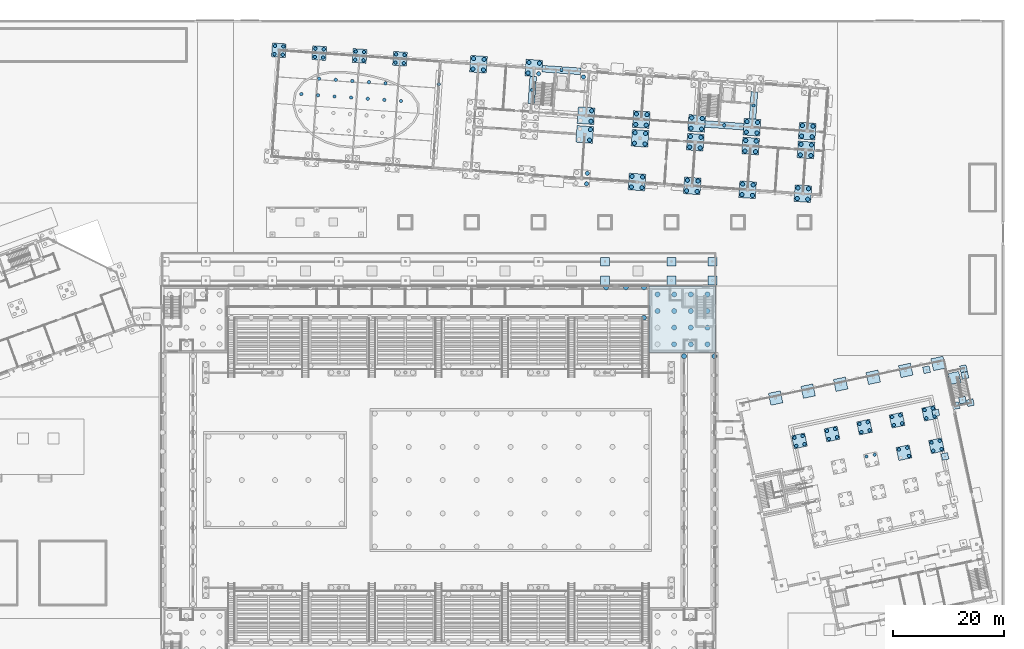
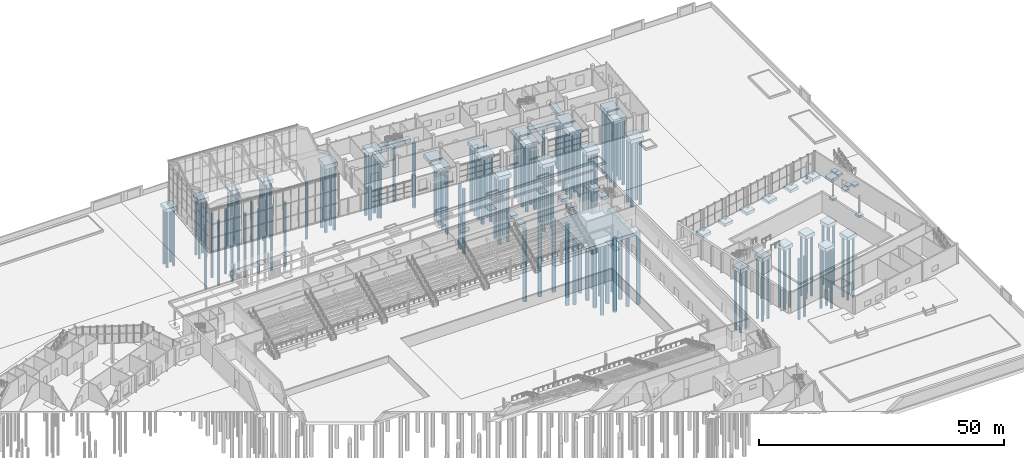
# One storey, part 6 of 157: 145 piles, 53 footings.
"""IFC4 building model written with IfcOpenShell, lengths in metres."""

from ifc_helpers import new_model, si_unit, direction, frame, origin, origin_2d, place, context, subcontext, project, spatial, polyline, rectangle, circle, outline, extrude, material, material_profile, profile_set, type_object, element, save


model = new_model("IFC4")

# Units and contexts
model_context = context("Model", 3, precision=1e-05, world=origin(), true_north=direction((0.0, 1.0)))
body_context = subcontext(model_context, "Body", "Model", "MODEL_VIEW")
ifc_project = project(units=[si_unit("LENGTHUNIT", "METRE"), si_unit("AREAUNIT", "SQUARE_METRE"), si_unit("VOLUMEUNIT", "CUBIC_METRE"), si_unit("PLANEANGLEUNIT", "RADIAN"), si_unit("MASSUNIT", "GRAM", prefix="KILO")], contexts=[model_context])

# Site, building, storey
site_placement = place(None, origin())
site = spatial("IfcSite", under=ifc_project, at=site_placement, CompositionType="ELEMENT")
building_placement = place(site_placement, origin())
building = spatial("IfcBuilding", under=site, at=building_placement, Name="Windward Yard Aquatics Centre", CompositionType="ELEMENT")
storey_placement = place(building_placement, origin())
storey = spatial("IfcBuildingStorey", under=building, at=storey_placement, Name="L00", CompositionType="ELEMENT", Elevation=0.0)

# Footings
ifc_material_1 = material(Name="Concrete C35/45", Category="concrete")
footing_type_1 = type_object("IfcFootingType", Name="A pad footing 1600X1600X700", PredefinedType="PAD_FOOTING", material=ifc_material_1)
for number, where, z_axis, x_axis, name in (
    (1, (132.0, 97.0, -0.7001953125), (0.0, 0.0, 1.0), (1.0, 0.0, 0.0), "A.PF.8.1"),
    (2, (132.0, 100.39990234375, -0.7001953125), (0.0, 0.0, 1.0), (1.0, 0.0, 0.0), "A.PF.8.2"),
    (3, (144.0, 97.0, -0.7001953125), (0.0, 0.0, 1.0), (1.0, 0.0, 0.0), "A.PF.9.1"),
    (4, (144.0, 100.39990234375, -0.7001953125), (0.0, 0.0, 1.0), (1.0, 0.0, 0.0), "A.PF.9.2"),
    (5, (151.39990234375, 97.0, -0.7001953125), (0.0, 0.0, 1.0), (1.0, 0.0, 0.0), "A.PF.10.1"),
    (6, (151.39990234375, 100.39990234375, -0.7001953125), (0.0, 0.0, 1.0), (1.0, 0.0, 0.0), "A.PF.10.2"),
):
    element("IfcFooting", number, at=place(storey_placement, frame(where, z_axis=z_axis, x_axis=x_axis)), inside=storey, type_object=footing_type_1, Name=name, PredefinedType="PAD_FOOTING", context=body_context, shape_type="SweptSolid", body=[
        extrude(rectangle(XDim=1.60009765625, YDim=1.60009765625, at=origin_2d()), origin(), (0.0, 0.0, 1.0), 0.699951171875),
    ])

# Piles
ifc_material_2 = material(Name="Concrete C40/50", Category="concrete")
ifc_material_profile_1 = material_profile(ifc_material_2, circle(Radius=0.300048828125, at=origin_2d()), Name="RC D600")
ifc_profile_set_1 = profile_set([ifc_material_profile_1], Name="Concrete C40/50")
pile_type_1 = type_object("IfcPileType", Name="D bored pile D600", PredefinedType="BORED", material=ifc_profile_set_1)
for number, where, z_axis, x_axis, name in (
    (7, (166.522705078125, 67.1767578125, -6.39990234375), (0.0, 0.0, -1.0), (1.0, 0.0, 0.0), "D.PL.T1.4.1"),
    (8, (167.989990234375, 67.48876953125, -6.39990234375), (0.0, 0.0, -1.0), (1.0, 0.0, 0.0), "D.PL.T1.4.2"),
    (9, (167.67822265625, 68.9560546875, -6.39990234375), (0.0, 0.0, -1.0), (1.0, 0.0, 0.0), "D.PL.T1.4.3"),
    (10, (166.2109375, 68.64404296875, -6.39990234375), (0.0, 0.0, -1.0), (1.0, 0.0, 0.0), "D.PL.T1.4.4"),
    (11, (172.3916015625, 68.42431640625, -6.39990234375), (0.0, 0.0, -1.0), (1.0, 0.0, 0.0), "D.PL.T2.4.1"),
    (12, (173.85888671875, 68.736328125, -6.39990234375), (0.0, 0.0, -1.0), (1.0, 0.0, 0.0), "D.PL.T2.4.2"),
    (13, (173.547119140625, 70.203369140625, -6.39990234375), (0.0, 0.0, -1.0), (1.0, 0.0, 0.0), "D.PL.T2.4.3"),
    (14, (172.079833984375, 69.8916015625, -6.39990234375), (0.0, 0.0, -1.0), (1.0, 0.0, 0.0), "D.PL.T2.4.4"),
    (15, (180.66357421875, 65.58203125, -6.39990234375), (0.0, 0.0, -1.0), (1.0, 0.0, 0.0), "D.PL.T3.3.3"),
    (16, (179.1962890625, 65.270263671875, -6.39990234375), (0.0, 0.0, -1.0), (1.0, 0.0, 0.0), "D.PL.T3.3.4"),
    (17, (178.2607421875, 69.671875, -6.39990234375), (0.0, 0.0, -1.0), (1.0, 0.0, 0.0), "D.PL.T3.4.1"),
    (18, (179.727783203125, 69.983642578125, -6.39990234375), (0.0, 0.0, -1.0), (1.0, 0.0, 0.0), "D.PL.T3.4.2"),
    (19, (179.416015625, 71.450927734375, -6.39990234375), (0.0, 0.0, -1.0), (1.0, 0.0, 0.0), "D.PL.T3.4.3"),
    (20, (177.94873046875, 71.13916015625, -6.39990234375), (0.0, 0.0, -1.0), (1.0, 0.0, 0.0), "D.PL.T3.4.4"),
    (21, (186.84423828125, 65.3623046875, -6.39990234375), (0.0, 0.0, -1.0), (1.0, 0.0, 0.0), "D.PL.T4.3.2"),
    (22, (186.532470703125, 66.82958984375, -6.39990234375), (0.0, 0.0, -1.0), (1.0, 0.0, 0.0), "D.PL.T4.3.3"),
    (23, (185.065185546875, 66.517578125, -6.39990234375), (0.0, 0.0, -1.0), (1.0, 0.0, 0.0), "D.PL.T4.3.4"),
    (24, (184.129638671875, 70.91943359375, -6.39990234375), (0.0, 0.0, -1.0), (1.0, 0.0, 0.0), "D.PL.T4.4.1"),
    (25, (185.5966796875, 71.231201171875, -6.39990234375), (0.0, 0.0, -1.0), (1.0, 0.0, 0.0), "D.PL.T4.4.2"),
    (26, (185.284912109375, 72.698486328125, -6.39990234375), (0.0, 0.0, -1.0), (1.0, 0.0, 0.0), "D.PL.T4.4.3"),
    (27, (183.817626953125, 72.386474609375, -6.39990234375), (0.0, 0.0, -1.0), (1.0, 0.0, 0.0), "D.PL.T4.4.4"),
    (28, (191.245849609375, 66.2978515625, -6.39990234375), (0.0, 0.0, -1.0), (1.0, 0.0, 0.0), "D.PL.T5.3.1"),
    (29, (192.713134765625, 66.609619140625, -6.39990234375), (0.0, 0.0, -1.0), (1.0, 0.0, 0.0), "D.PL.T5.3.2"),
    (30, (192.401123046875, 68.076904296875, -6.39990234375), (0.0, 0.0, -1.0), (1.0, 0.0, 0.0), "D.PL.T5.3.3"),
    (31, (190.933837890625, 67.76513671875, -6.39990234375), (0.0, 0.0, -1.0), (1.0, 0.0, 0.0), "D.PL.T5.3.4"),
    (32, (189.99853515625, 72.166748046875, -6.39990234375), (0.0, 0.0, -1.0), (1.0, 0.0, 0.0), "D.PL.T5.4.1"),
    (33, (191.465576171875, 72.478515625, -6.39990234375), (0.0, 0.0, -1.0), (1.0, 0.0, 0.0), "D.PL.T5.4.2"),
    (34, (191.15380859375, 73.94580078125, -6.39990234375), (0.0, 0.0, -1.0), (1.0, 0.0, 0.0), "D.PL.T5.4.3"),
    (35, (189.6865234375, 73.634033203125, -6.39990234375), (0.0, 0.0, -1.0), (1.0, 0.0, 0.0), "D.PL.T5.4.4"),
):
    element("IfcPile", number, at=place(storey_placement, frame(where, z_axis=z_axis, x_axis=x_axis)), inside=storey, type_object=pile_type_1, Name=name, PredefinedType="BORED", context=body_context, shape_type="SweptSolid", body=[
        extrude(circle(Radius=0.300048828125, at=origin_2d()), origin(), (0.0, 0.0, 1.0), 15.10009765625),
    ])

# Footings
footing_type_2 = type_object("IfcFootingType", Name="D pad footing 1200X1200X500", PredefinedType="PAD_FOOTING", material=ifc_material_1)
for number, where, z_axis, x_axis, name in (
    (36, (193.35693359375, 65.26416015625, -0.75), (0.0, 0.0, 1.0), (0.978147600734, 0.207911690818, 0.0), "D.PF.G3"),
    (37, (191.693603515625, 73.08935546875, -0.75), (0.0, 0.0, 1.0), (0.978147600734, 0.207911690818, 0.0), "D.PF.G4"),
    (38, (190.0302734375, 80.91455078125, -0.75), (0.0, 0.0, 1.0), (0.978147600734, 0.207911690818, 0.0), "D.PF.G5"),
    (39, (196.946533203125, 79.8798828125, -0.64990234375), (0.0, 0.0, 1.0), (0.978147600734, 0.207911690818, 0.0), "D.PF.E1"),
    (40, (196.686767578125, 81.1025390625, -0.64990234375), (0.0, 0.0, 1.0), (0.978147600734, 0.207911690818, 0.0), "D.PF.E2"),
    (41, (195.34521484375, 74.427734375, -0.64990234375), (0.0, 0.0, 1.0), (0.978147600734, 0.207911690818, 0.0), "D.PF.E3"),
    (42, (197.937255859375, 74.978759765625, -0.64990234375), (0.0, 0.0, 1.0), (0.978147600734, 0.207911690818, 0.0), "D.PF.E4"),
    (43, (196.509765625, 75.442138671875, -0.64990234375), (0.0, 0.0, 1.0), (0.978147600734, 0.207911690818, 0.0), "D.PF.E5"),
):
    element("IfcFooting", number, at=place(storey_placement, frame(where, z_axis=z_axis, x_axis=x_axis)), inside=storey, type_object=footing_type_2, Name=name, PredefinedType="PAD_FOOTING", context=body_context, shape_type="SweptSolid", body=[
        extrude(rectangle(XDim=1.199951171875, YDim=1.199951171875, at=origin_2d()), origin(), (0.0, 0.0, 1.0), 0.5),
    ])
footing_type_3 = type_object("IfcFootingType", Name="D pad footing 2000X2000X700", PredefinedType="PAD_FOOTING", material=ifc_material_1)
footing_1_placement = place(storey_placement, frame((195.049560546875, 79.425537109375, -0.7001953125), z_axis=(0.0, 0.0, 1.0), x_axis=(0.978147600734, 0.207911690818, 0.0)))
element("IfcFooting", 44, at=footing_1_placement, inside=storey, type_object=footing_type_3, Name="D.PF.E0", PredefinedType="PAD_FOOTING", context=body_context, shape_type="SweptSolid", body=[
    extrude(rectangle(XDim=2.0, YDim=2.0, at=origin_2d()), origin(), (0.0, 0.0, 1.0), 0.699951171875),
])
footing_type_4 = type_object("IfcFootingType", Name="D pad footing 2200X2200X700", PredefinedType="PAD_FOOTING", material=ifc_material_1)
for number, where, z_axis, x_axis, name in (
    (45, (162.79833984375, 75.801025390625, -0.9501953125), (0.0, 0.0, 1.0), (0.978147600734, 0.207911690818, 0.0), "D.PF.H2.2"),
    (46, (168.667236328125, 77.048583984375, -0.9501953125), (0.0, 0.0, 1.0), (0.978147600734, 0.207911690818, 0.0), "D.PF.H3.2"),
    (47, (174.5361328125, 78.2958984375, -0.9501953125), (0.0, 0.0, 1.0), (0.978147600734, 0.207911690818, 0.0), "D.PF.H4.2"),
    (48, (180.405029296875, 79.54345703125, -0.9501953125), (0.0, 0.0, 1.0), (0.978147600734, 0.207911690818, 0.0), "D.PF.H5.2"),
    (49, (186.27392578125, 80.791015625, -0.9501953125), (0.0, 0.0, 1.0), (0.978147600734, 0.207911690818, 0.0), "D.PF.H6.2"),
    (50, (192.142822265625, 82.038330078125, -0.9501953125), (0.0, 0.0, 1.0), (0.978147600734, 0.207911690818, 0.0), "D.PF.H7.2"),
):
    element("IfcFooting", number, at=place(storey_placement, frame(where, z_axis=z_axis, x_axis=x_axis)), inside=storey, type_object=footing_type_4, Name=name, PredefinedType="PAD_FOOTING", context=body_context, shape_type="SweptSolid", body=[
        extrude(rectangle(XDim=2.199951171875, YDim=2.199951171875, at=origin_2d()), origin(), (0.0, 0.0, 1.0), 0.699951171875),
    ])
footing_type_5 = type_object("IfcFootingType", Name="D pile cap 2400X2400X900", PredefinedType="PILE_CAP", material=ifc_material_2)
for number, where, z_axis, x_axis, name in (
    (51, (167.1005859375, 68.06640625, -6.5), (0.0, 0.0, 1.0), (0.978147600734, 0.207911690818, 0.0), "D.PC.T1.4"),
    (52, (172.969482421875, 69.31396484375, -6.5), (0.0, 0.0, 1.0), (0.978147600734, 0.207911690818, 0.0), "D.PC.T2.4"),
    (53, (178.83837890625, 70.561279296875, -6.5), (0.0, 0.0, 1.0), (0.978147600734, 0.207911690818, 0.0), "D.PC.T3.4"),
    (54, (185.95458984375, 65.93994140625, -6.5), (0.0, 0.0, 1.0), (0.978147600734, 0.207911690818, 0.0), "D.PC.T4.3"),
    (55, (184.707275390625, 71.808837890625, -6.5), (0.0, 0.0, 1.0), (0.978147600734, 0.207911690818, 0.0), "D.PC.T4.4"),
    (56, (191.823486328125, 67.1875, -6.5), (0.0, 0.0, 1.0), (0.978147600734, 0.207911690818, 0.0), "D.PC.T5.3"),
    (57, (190.576171875, 73.056396484375, -6.5), (0.0, 0.0, 1.0), (0.978147600734, 0.207911690818, 0.0), "D.PC.T5.4"),
):
    element("IfcFooting", number, at=place(storey_placement, frame(where, z_axis=z_axis, x_axis=x_axis)), inside=storey, type_object=footing_type_5, Name=name, PredefinedType="PILE_CAP", context=body_context, shape_type="SweptSolid", body=[
        extrude(rectangle(XDim=2.39990234375, YDim=2.39990234375, at=origin_2d()), origin(), (0.0, 0.0, 1.0), 0.89990234375),
    ])

# Piles
ifc_material_profile_2 = material_profile(ifc_material_1, circle(Radius=0.449951171875, at=origin_2d()), Name="RC D900")
ifc_profile_set_2 = profile_set([ifc_material_profile_2], Name="Concrete C35/45")
pile_type_2 = type_object("IfcPileType", Name="H bored pile RC D900 C35/45", PredefinedType="BORED", material=ifc_profile_set_2)
for number, where, z_axis, x_axis, name in (
    (58, (132.235595703125, 95.77490234375, -0.89990234375), (0.0, 0.0, -1.0), (1.0, 0.0, 0.0), "H.PL.PW.N.20"),
    (59, (135.79296875, 95.77490234375, -0.89990234375), (0.0, 0.0, -1.0), (1.0, 0.0, 0.0), "H.PL.PW.N.21"),
    (60, (139.050048828125, 95.77490234375, -0.89990234375), (0.0, 0.0, -1.0), (1.0, 0.0, 0.0), "H.PL.PW.N.22"),
    (61, (139.050048828125, 90.290283203125, -0.89990234375), (0.0, 0.0, -1.0), (1.0, 0.0, 0.0), "H.PL.RW.N.22"),
    (62, (151.77490234375, 83.35009765625, -0.89990234375), (0.0, 0.0, -1.0), (1.0, 0.0, 0.0), "H.PL.PW.E.14"),
    (63, (146.290283203125, 83.35009765625, -0.89990234375), (0.0, 0.0, -1.0), (1.0, 0.0, 0.0), "H.PL.RW.E.12"),
    (64, (141.5, 91.5, -2.300048828125), (0.0, 0.0, -1.0), (1.0, 0.0, 0.0), "H.PL.CR.NE.03"),
    (65, (141.5, 94.5, -2.300048828125), (0.0, 0.0, -1.0), (1.0, 0.0, 0.0), "H.PL.CR.NE.04"),
    (66, (144.5, 85.5, -2.300048828125), (0.0, 0.0, -1.0), (1.0, 0.0, 0.0), "H.PL.CR.NE.05"),
    (67, (144.5, 88.5, -2.300048828125), (0.0, 0.0, -1.0), (1.0, 0.0, 0.0), "H.PL.CR.NE.06"),
    (68, (144.5, 91.5, -2.300048828125), (0.0, 0.0, -1.0), (1.0, 0.0, 0.0), "H.PL.CR.NE.07"),
    (69, (144.5, 94.5, -2.300048828125), (0.0, 0.0, -1.0), (1.0, 0.0, 0.0), "H.PL.CR.NE.08"),
    (70, (147.5, 85.5, -2.300048828125), (0.0, 0.0, -1.0), (1.0, 0.0, 0.0), "H.PL.CR.NE.09"),
    (71, (147.5, 88.5, -2.300048828125), (0.0, 0.0, -1.0), (1.0, 0.0, 0.0), "H.PL.CR.NE.10"),
    (72, (147.5, 91.5, -2.300048828125), (0.0, 0.0, -1.0), (1.0, 0.0, 0.0), "H.PL.CR.NE.11"),
    (73, (147.5, 94.5, -2.300048828125), (0.0, 0.0, -1.0), (1.0, 0.0, 0.0), "H.PL.CR.NE.12"),
    (74, (150.5, 85.5, -2.300048828125), (0.0, 0.0, -1.0), (1.0, 0.0, 0.0), "H.PL.CR.NE.13"),
    (75, (150.5, 88.5, -2.300048828125), (0.0, 0.0, -1.0), (1.0, 0.0, 0.0), "H.PL.CR.NE.14"),
    (76, (150.5, 91.5, -2.300048828125), (0.0, 0.0, -1.0), (1.0, 0.0, 0.0), "H.PL.CR.NE.15"),
    (77, (150.5, 94.5, -2.300048828125), (0.0, 0.0, -1.0), (1.0, 0.0, 0.0), "H.PL.CR.NE.16"),
):
    element("IfcPile", number, at=place(storey_placement, frame(where, z_axis=z_axis, x_axis=x_axis)), inside=storey, type_object=pile_type_2, Name=name, PredefinedType="BORED", context=body_context, shape_type="SweptSolid", body=[
        extrude(circle(Radius=0.449951171875, at=origin_2d()), origin(), (0.0, 0.0, 1.0), 18.10009765625),
    ])

# Footing
footing_type_6 = type_object("IfcFootingType", Name="H core raft 12000x12000x800", PredefinedType="PILE_CAP", material=ifc_material_1)
footing_2_placement = place(storey_placement, frame((146.0, 90.0, -2.39990234375), z_axis=(0.0, 0.0, 1.0), x_axis=(1.0, 0.0, 0.0)))
element("IfcFooting", 78, at=footing_2_placement, inside=storey, type_object=footing_type_6, Name="H.FT.CR.NE", PredefinedType="PILE_CAP", context=body_context, shape_type="SweptSolid", body=[
    extrude(rectangle(XDim=12.0, YDim=12.0, at=origin_2d()), origin(), (0.0, 0.0, 1.0), 0.800048828125),
])

# Piles
ifc_material_profile_3 = material_profile(ifc_material_1, circle(Radius=0.300048828125, at=origin_2d()), Name="D600")
ifc_profile_set_3 = profile_set([ifc_material_profile_3], Name="Concrete C35/45")
pile_type_3 = type_object("IfcPileType", Name="W bored pile D600 Concrete C35/45", PredefinedType="BORED", material=ifc_profile_set_3)
for number, where, z_axis, x_axis, name in (
    (79, (72.389892578125, 137.8408203125, -1.10009765625), (0.0, 0.0, -1.0), (1.0, 0.0, 0.0), "W.CAPH.1N.P1"),
    (80, (73.88623046875, 137.736083984375, -1.10009765625), (0.0, 0.0, -1.0), (1.0, 0.0, 0.0), "W.CAPH.1N.P2"),
    (81, (73.990966796875, 139.232421875, -1.10009765625), (0.0, 0.0, -1.0), (1.0, 0.0, 0.0), "W.CAPH.1N.P3"),
    (82, (72.49462890625, 139.3369140625, -1.10009765625), (0.0, 0.0, -1.0), (1.0, 0.0, 0.0), "W.CAPH.1N.P4"),
    (83, (79.672119140625, 137.33154296875, -1.10009765625), (0.0, 0.0, -1.0), (1.0, 0.0, 0.0), "W.CAPH.2N.P1"),
    (84, (81.168701171875, 137.226806640625, -1.10009765625), (0.0, 0.0, -1.0), (1.0, 0.0, 0.0), "W.CAPH.2N.P2"),
    (85, (81.273193359375, 138.72314453125, -1.10009765625), (0.0, 0.0, -1.0), (1.0, 0.0, 0.0), "W.CAPH.2N.P3"),
    (86, (79.77685546875, 138.827880859375, -1.10009765625), (0.0, 0.0, -1.0), (1.0, 0.0, 0.0), "W.CAPH.2N.P4"),
    (87, (86.954345703125, 136.822265625, -1.10009765625), (0.0, 0.0, -1.0), (1.0, 0.0, 0.0), "W.CAPH.3N.P1"),
    (88, (88.45068359375, 136.717529296875, -1.10009765625), (0.0, 0.0, -1.0), (1.0, 0.0, 0.0), "W.CAPH.3N.P2"),
    (89, (88.555419921875, 138.2138671875, -1.10009765625), (0.0, 0.0, -1.0), (1.0, 0.0, 0.0), "W.CAPH.3N.P3"),
    (90, (87.05908203125, 138.318603515625, -1.10009765625), (0.0, 0.0, -1.0), (1.0, 0.0, 0.0), "W.CAPH.3N.P4"),
    (91, (94.236572265625, 136.31298828125, -1.10009765625), (0.0, 0.0, -1.0), (1.0, 0.0, 0.0), "W.CAPH.4N.P1"),
    (92, (95.73291015625, 136.20849609375, -1.10009765625), (0.0, 0.0, -1.0), (1.0, 0.0, 0.0), "W.CAPH.4N.P2"),
    (93, (95.837646484375, 137.70458984375, -1.10009765625), (0.0, 0.0, -1.0), (1.0, 0.0, 0.0), "W.CAPH.4N.P3"),
    (94, (94.34130859375, 137.809326171875, -1.10009765625), (0.0, 0.0, -1.0), (1.0, 0.0, 0.0), "W.CAPH.4N.P4"),
    (95, (102.033447265625, 132.40966796875, -1.10009765625), (0.0, 0.0, -1.0), (1.0, 0.0, 0.0), "W.FB.HALL.E.P4"),
    (96, (124.166015625, 134.971923828125, -1.10009765625), (0.0, 0.0, -1.0), (1.0, 0.0, 0.0), "W.FB.W.2.P1"),
    (97, (118.902587890625, 131.38037109375, -1.10009765625), (0.0, 0.0, -1.0), (1.0, 0.0, 0.0), "W.FB.W.3.P1"),
    (98, (153.5419921875, 124.99853515625, -1.10009765625), (0.0, 0.0, -1.0), (1.0, 0.0, 0.0), "W.FB.E.1.P1"),
    (99, (158.80517578125, 128.590087890625, -1.10009765625), (0.0, 0.0, -1.0), (1.0, 0.0, 0.0), "W.FB.E.4.P1"),
):
    element("IfcPile", number, at=place(storey_placement, frame(where, z_axis=z_axis, x_axis=x_axis)), inside=storey, type_object=pile_type_3, Name=name, PredefinedType="BORED", context=body_context, shape_type="SweptSolid", body=[
        extrude(circle(Radius=0.300048828125, at=origin_2d()), origin(), (0.0, 0.0, 1.0), 14.10009765625),
    ])
for number, where, z_axis, x_axis, name in (
    (100, (77.2490234375, 130.63427734375, -1.699951171875), (0.0, 0.0, -1.0), (1.0, 0.0, 0.0), "W.TANK.P02"),
    (101, (80.24169921875, 130.4248046875, -1.699951171875), (0.0, 0.0, -1.0), (1.0, 0.0, 0.0), "W.TANK.P05"),
    (102, (80.451171875, 133.41748046875, -1.699951171875), (0.0, 0.0, -1.0), (1.0, 0.0, 0.0), "W.TANK.P06"),
    (103, (83.234619140625, 130.215576171875, -1.699951171875), (0.0, 0.0, -1.0), (1.0, 0.0, 0.0), "W.TANK.P09"),
    (104, (83.44384765625, 133.208251953125, -1.699951171875), (0.0, 0.0, -1.0), (1.0, 0.0, 0.0), "W.TANK.P10"),
    (105, (86.227294921875, 130.00634765625, -1.699951171875), (0.0, 0.0, -1.0), (1.0, 0.0, 0.0), "W.TANK.P13"),
    (106, (86.4365234375, 132.9990234375, -1.699951171875), (0.0, 0.0, -1.0), (1.0, 0.0, 0.0), "W.TANK.P14"),
    (107, (89.219970703125, 129.797119140625, -1.699951171875), (0.0, 0.0, -1.0), (1.0, 0.0, 0.0), "W.TANK.P17"),
    (108, (89.42919921875, 132.789794921875, -1.699951171875), (0.0, 0.0, -1.0), (1.0, 0.0, 0.0), "W.TANK.P18"),
    (109, (92.212646484375, 129.587890625, -1.699951171875), (0.0, 0.0, -1.0), (1.0, 0.0, 0.0), "W.TANK.P21"),
    (110, (92.421875, 132.58056640625, -1.699951171875), (0.0, 0.0, -1.0), (1.0, 0.0, 0.0), "W.TANK.P22"),
    (111, (95.205322265625, 129.378662109375, -1.699951171875), (0.0, 0.0, -1.0), (1.0, 0.0, 0.0), "W.TANK.P24"),
):
    element("IfcPile", number, at=place(storey_placement, frame(where, z_axis=z_axis, x_axis=x_axis)), inside=storey, type_object=pile_type_3, Name=name, PredefinedType="BORED", context=body_context, shape_type="SweptSolid", body=[
        extrude(circle(Radius=0.300048828125, at=origin_2d()), origin(), (0.0, 0.0, 1.0), 16.10009765625),
    ])
ifc_material_profile_4 = material_profile(ifc_material_1, circle(Radius=0.375, at=origin_2d()), Name="D750")
ifc_profile_set_4 = profile_set([ifc_material_profile_4], Name="Concrete C35/45")
pile_type_4 = type_object("IfcPileType", Name="W bored pile D750 Concrete C35/45", PredefinedType="BORED", material=ifc_profile_set_4)
for number, where, z_axis, x_axis, name in (
    (112, (108.188720703125, 135.136962890625, -1.199951171875), (0.0, 0.0, -1.0), (1.0, 0.0, 0.0), "W.CAP.1D.P1"),
    (113, (110.083984375, 135.00439453125, -1.199951171875), (0.0, 0.0, -1.0), (1.0, 0.0, 0.0), "W.CAP.1D.P2"),
    (114, (110.216552734375, 136.899658203125, -1.199951171875), (0.0, 0.0, -1.0), (1.0, 0.0, 0.0), "W.CAP.1D.P3"),
    (115, (108.321044921875, 137.0322265625, -1.199951171875), (0.0, 0.0, -1.0), (1.0, 0.0, 0.0), "W.CAP.1D.P4"),
    (116, (118.164306640625, 134.439208984375, -1.199951171875), (0.0, 0.0, -1.0), (1.0, 0.0, 0.0), "W.CAP.2D.P1"),
    (117, (120.0595703125, 134.306884765625, -1.199951171875), (0.0, 0.0, -1.0), (1.0, 0.0, 0.0), "W.CAP.2D.P2"),
    (118, (120.192138671875, 136.2021484375, -1.199951171875), (0.0, 0.0, -1.0), (1.0, 0.0, 0.0), "W.CAP.2D.P3"),
    (119, (118.296875, 136.334716796875, -1.199951171875), (0.0, 0.0, -1.0), (1.0, 0.0, 0.0), "W.CAP.2D.P4"),
    (120, (128.69580078125, 114.4560546875, -1.199951171875), (0.0, 0.0, -1.0), (1.0, 0.0, 0.0), "W.CAP.3A.P2"),
    (121, (128.82861328125, 116.351318359375, -1.199951171875), (0.0, 0.0, -1.0), (1.0, 0.0, 0.0), "W.CAP.3A.P3"),
    (122, (129.2470703125, 122.3369140625, -1.199951171875), (0.0, 0.0, -1.0), (1.0, 0.0, 0.0), "W.CAP.3B.P2"),
    (123, (129.37939453125, 124.232177734375, -1.199951171875), (0.0, 0.0, -1.0), (1.0, 0.0, 0.0), "W.CAP.3B.P3"),
    (124, (129.484130859375, 125.728515625, -1.199951171875), (0.0, 0.0, -1.0), (1.0, 0.0, 0.0), "W.CAP.3C.P2"),
    (125, (129.61669921875, 127.623779296875, -1.199951171875), (0.0, 0.0, -1.0), (1.0, 0.0, 0.0), "W.CAP.3C.P3"),
    (126, (128.139892578125, 133.74169921875, -1.199951171875), (0.0, 0.0, -1.0), (1.0, 0.0, 0.0), "W.CAP.3D.P1"),
    (127, (136.776123046875, 113.89111328125, -1.199951171875), (0.0, 0.0, -1.0), (1.0, 0.0, 0.0), "W.CAP.4A.P1"),
    (128, (138.671630859375, 113.75830078125, -1.199951171875), (0.0, 0.0, -1.0), (1.0, 0.0, 0.0), "W.CAP.4A.P2"),
    (129, (138.80419921875, 115.65380859375, -1.199951171875), (0.0, 0.0, -1.0), (1.0, 0.0, 0.0), "W.CAP.4A.P3"),
    (130, (136.90869140625, 115.786376953125, -1.199951171875), (0.0, 0.0, -1.0), (1.0, 0.0, 0.0), "W.CAP.4A.P4"),
    (131, (137.327392578125, 121.771728515625, -1.199951171875), (0.0, 0.0, -1.0), (1.0, 0.0, 0.0), "W.CAP.4B.P1"),
    (132, (139.22265625, 121.63916015625, -1.199951171875), (0.0, 0.0, -1.0), (1.0, 0.0, 0.0), "W.CAP.4B.P2"),
    (133, (139.355224609375, 123.53466796875, -1.199951171875), (0.0, 0.0, -1.0), (1.0, 0.0, 0.0), "W.CAP.4B.P3"),
    (134, (137.459716796875, 123.6669921875, -1.199951171875), (0.0, 0.0, -1.0), (1.0, 0.0, 0.0), "W.CAP.4B.P4"),
    (135, (137.564453125, 125.16357421875, -1.199951171875), (0.0, 0.0, -1.0), (1.0, 0.0, 0.0), "W.CAP.4C.P1"),
    (136, (139.459716796875, 125.031005859375, -1.199951171875), (0.0, 0.0, -1.0), (1.0, 0.0, 0.0), "W.CAP.4C.P2"),
    (137, (139.59228515625, 126.92626953125, -1.199951171875), (0.0, 0.0, -1.0), (1.0, 0.0, 0.0), "W.CAP.4C.P3"),
    (138, (137.697021484375, 127.058837890625, -1.199951171875), (0.0, 0.0, -1.0), (1.0, 0.0, 0.0), "W.CAP.4C.P4"),
    (139, (146.751708984375, 113.193359375, -1.199951171875), (0.0, 0.0, -1.0), (1.0, 0.0, 0.0), "W.CAP.5A.P1"),
    (140, (148.647216796875, 113.060791015625, -1.199951171875), (0.0, 0.0, -1.0), (1.0, 0.0, 0.0), "W.CAP.5A.P2"),
    (141, (148.77978515625, 114.956298828125, -1.199951171875), (0.0, 0.0, -1.0), (1.0, 0.0, 0.0), "W.CAP.5A.P3"),
    (142, (146.884521484375, 115.0888671875, -1.199951171875), (0.0, 0.0, -1.0), (1.0, 0.0, 0.0), "W.CAP.5A.P4"),
    (143, (147.302978515625, 121.07421875, -1.199951171875), (0.0, 0.0, -1.0), (1.0, 0.0, 0.0), "W.CAP.5B.P1"),
    (144, (149.1982421875, 120.941650390625, -1.199951171875), (0.0, 0.0, -1.0), (1.0, 0.0, 0.0), "W.CAP.5B.P2"),
    (145, (149.330810546875, 122.8369140625, -1.199951171875), (0.0, 0.0, -1.0), (1.0, 0.0, 0.0), "W.CAP.5B.P3"),
    (146, (147.435302734375, 122.969482421875, -1.199951171875), (0.0, 0.0, -1.0), (1.0, 0.0, 0.0), "W.CAP.5B.P4"),
    (147, (147.5400390625, 124.4658203125, -1.199951171875), (0.0, 0.0, -1.0), (1.0, 0.0, 0.0), "W.CAP.5C.P1"),
    (148, (149.435546875, 124.33349609375, -1.199951171875), (0.0, 0.0, -1.0), (1.0, 0.0, 0.0), "W.CAP.5C.P2"),
    (149, (149.568115234375, 126.228759765625, -1.199951171875), (0.0, 0.0, -1.0), (1.0, 0.0, 0.0), "W.CAP.5C.P3"),
    (150, (147.672607421875, 126.361328125, -1.199951171875), (0.0, 0.0, -1.0), (1.0, 0.0, 0.0), "W.CAP.5C.P4"),
    (151, (156.7275390625, 112.495849609375, -1.199951171875), (0.0, 0.0, -1.0), (1.0, 0.0, 0.0), "W.CAP.6A.P1"),
    (152, (158.622802734375, 112.36328125, -1.199951171875), (0.0, 0.0, -1.0), (1.0, 0.0, 0.0), "W.CAP.6A.P2"),
    (153, (158.75537109375, 114.2587890625, -1.199951171875), (0.0, 0.0, -1.0), (1.0, 0.0, 0.0), "W.CAP.6A.P3"),
    (154, (156.860107421875, 114.39111328125, -1.199951171875), (0.0, 0.0, -1.0), (1.0, 0.0, 0.0), "W.CAP.6A.P4"),
    (155, (157.278564453125, 120.376708984375, -1.199951171875), (0.0, 0.0, -1.0), (1.0, 0.0, 0.0), "W.CAP.6B.P1"),
    (156, (159.173828125, 120.244140625, -1.199951171875), (0.0, 0.0, -1.0), (1.0, 0.0, 0.0), "W.CAP.6B.P2"),
    (157, (159.306396484375, 122.139404296875, -1.199951171875), (0.0, 0.0, -1.0), (1.0, 0.0, 0.0), "W.CAP.6B.P3"),
    (158, (157.4111328125, 122.27197265625, -1.199951171875), (0.0, 0.0, -1.0), (1.0, 0.0, 0.0), "W.CAP.6B.P4"),
    (159, (157.515625, 123.768310546875, -1.199951171875), (0.0, 0.0, -1.0), (1.0, 0.0, 0.0), "W.CAP.6C.P1"),
    (160, (159.4111328125, 123.6357421875, -1.199951171875), (0.0, 0.0, -1.0), (1.0, 0.0, 0.0), "W.CAP.6C.P2"),
    (161, (159.543701171875, 125.53125, -1.199951171875), (0.0, 0.0, -1.0), (1.0, 0.0, 0.0), "W.CAP.6C.P3"),
    (162, (157.648193359375, 125.663818359375, -1.199951171875), (0.0, 0.0, -1.0), (1.0, 0.0, 0.0), "W.CAP.6C.P4"),
    (163, (166.703125, 111.79833984375, -1.199951171875), (0.0, 0.0, -1.0), (1.0, 0.0, 0.0), "W.CAP.7A.P1"),
    (164, (168.598388671875, 111.665771484375, -1.199951171875), (0.0, 0.0, -1.0), (1.0, 0.0, 0.0), "W.CAP.7A.P2"),
    (165, (168.73095703125, 113.56103515625, -1.199951171875), (0.0, 0.0, -1.0), (1.0, 0.0, 0.0), "W.CAP.7A.P3"),
    (166, (166.835693359375, 113.693603515625, -1.199951171875), (0.0, 0.0, -1.0), (1.0, 0.0, 0.0), "W.CAP.7A.P4"),
    (167, (167.254150390625, 119.678955078125, -1.199951171875), (0.0, 0.0, -1.0), (1.0, 0.0, 0.0), "W.CAP.7B.P1"),
    (168, (169.149658203125, 119.54638671875, -1.199951171875), (0.0, 0.0, -1.0), (1.0, 0.0, 0.0), "W.CAP.7B.P2"),
    (169, (169.281982421875, 121.44189453125, -1.199951171875), (0.0, 0.0, -1.0), (1.0, 0.0, 0.0), "W.CAP.7B.P3"),
    (170, (167.38671875, 121.574462890625, -1.199951171875), (0.0, 0.0, -1.0), (1.0, 0.0, 0.0), "W.CAP.7B.P4"),
    (171, (167.491455078125, 123.07080078125, -1.199951171875), (0.0, 0.0, -1.0), (1.0, 0.0, 0.0), "W.CAP.7C.P1"),
    (172, (169.38671875, 122.938232421875, -1.199951171875), (0.0, 0.0, -1.0), (1.0, 0.0, 0.0), "W.CAP.7C.P2"),
    (173, (169.519287109375, 124.83349609375, -1.199951171875), (0.0, 0.0, -1.0), (1.0, 0.0, 0.0), "W.CAP.7C.P3"),
    (174, (167.623779296875, 124.966064453125, -1.199951171875), (0.0, 0.0, -1.0), (1.0, 0.0, 0.0), "W.CAP.7C.P4"),
):
    element("IfcPile", number, at=place(storey_placement, frame(where, z_axis=z_axis, x_axis=x_axis)), inside=storey, type_object=pile_type_4, Name=name, PredefinedType="BORED", context=body_context, shape_type="SweptSolid", body=[
        extrude(circle(Radius=0.375, at=origin_2d()), origin(), (0.0, 0.0, 1.0), 16.10009765625),
    ])

# Footings
footing_type_7 = type_object("IfcFootingType", Name="W footing beam 1200x900 Concrete C35/45", PredefinedType="FOOTING_BEAM", material=ifc_material_1)
footing_3_placement = place(storey_placement, frame((0.0, 0.0, -1.199951171875)))
element("IfcFooting", 175, at=footing_3_placement, inside=storey, type_object=footing_type_7, Name="W.FB.W.2", PredefinedType="FOOTING_BEAM", context=body_context, shape_type="SweptSolid", body=[
    extrude(outline(polyline([(120.6328125, 134.61767578125), (127.615478515625, 134.12939453125), (127.69921875, 135.326416015625), (120.71630859375, 135.814697265625), (120.6328125, 134.61767578125)])), origin(), (0.0, 0.0, 1.0), 0.89990234375),
])
footing_4_placement = place(storey_placement, frame((0.0, 0.0, -1.199951171875)))
element("IfcFooting", 176, at=footing_4_placement, inside=storey, type_object=footing_type_7, Name="W.FB.W.3", PredefinedType="FOOTING_BEAM", context=body_context, shape_type="SweptSolid", body=[
    extrude(outline(polyline([(118.13330078125, 128.978271484375), (119.330322265625, 128.89453125), (119.672119140625, 133.78271484375), (118.47509765625, 133.8662109375), (118.13330078125, 128.978271484375)])), origin(), (0.0, 0.0, 1.0), 0.89990234375),
])
footing_5_placement = place(storey_placement, frame((0.0, 0.0, -1.199951171875)))
element("IfcFooting", 177, at=footing_5_placement, inside=storey, type_object=footing_type_7, Name="W.FB.E.1", PredefinedType="FOOTING_BEAM", context=body_context, shape_type="SweptSolid", body=[
    extrude(outline(polyline([(150.008544921875, 124.64404296875), (156.991455078125, 124.15576171875), (157.0751953125, 125.352783203125), (150.09228515625, 125.84130859375), (150.008544921875, 124.64404296875)])), origin(), (0.0, 0.0, 1.0), 0.89990234375),
])
footing_6_placement = place(storey_placement, frame((0.0, 0.0, -1.199951171875)))
element("IfcFooting", 178, at=footing_6_placement, inside=storey, type_object=footing_type_7, Name="W.FB.E.4", PredefinedType="FOOTING_BEAM", context=body_context, shape_type="SweptSolid", body=[
    extrude(outline(polyline([(158.035888671875, 126.18798828125), (159.23291015625, 126.104248046875), (159.57470703125, 130.9921875), (158.377685546875, 131.075927734375), (158.035888671875, 126.18798828125)])), origin(), (0.0, 0.0, 1.0), 0.89990234375),
])
footing_type_8 = type_object("IfcFootingType", Name="W pile cap 2500x2500x900 Concrete C35/45", PredefinedType="PILE_CAP", material=ifc_material_1)
for number, where, z_axis, x_axis, name in (
    (179, (73.1904296875, 138.53662109375, -1.199951171875), (0.0, 0.0, 1.0), (0.99756405026, -0.069756473744, 0.0), "W.CAPH.1N"),
    (180, (80.47265625, 138.02734375, -1.199951171875), (0.0, 0.0, 1.0), (0.99756405026, -0.069756473744, 0.0), "W.CAPH.2N"),
    (181, (87.7548828125, 137.51806640625, -1.199951171875), (0.0, 0.0, 1.0), (0.99756405026, -0.069756473744, 0.0), "W.CAPH.3N"),
    (182, (95.037109375, 137.0087890625, -1.199951171875), (0.0, 0.0, 1.0), (0.99756405026, -0.069756473744, 0.0), "W.CAPH.4N"),
):
    element("IfcFooting", number, at=place(storey_placement, frame(where, z_axis=z_axis, x_axis=x_axis)), inside=storey, type_object=footing_type_8, Name=name, PredefinedType="PILE_CAP", context=body_context, shape_type="SweptSolid", body=[
        extrude(rectangle(XDim=2.5, YDim=2.5, at=origin_2d()), origin(), (0.0, 0.0, 1.0), 0.89990234375),
    ])
footing_type_9 = type_object("IfcFootingType", Name="W pile cap 3000x3000x1000 Concrete C35/45", PredefinedType="PILE_CAP", material=ifc_material_1)
for number, where, z_axis, x_axis, name in (
    (183, (109.202392578125, 136.018310546875, -1.300048828125), (0.0, 0.0, 1.0), (0.99756405026, -0.069756473744, 0.0), "W.CAP.1D"),
    (184, (119.17822265625, 135.32080078125, -1.300048828125), (0.0, 0.0, 1.0), (0.99756405026, -0.069756473744, 0.0), "W.CAP.2D"),
    (185, (128.365478515625, 123.3505859375, -1.300048828125), (0.0, 0.0, 1.0), (0.99756405026, -0.069756473744, 0.0), "W.CAP.3B"),
    (186, (128.602783203125, 126.742431640625, -1.300048828125), (0.0, 0.0, 1.0), (0.99756405026, -0.069756473744, 0.0), "W.CAP.3C"),
    (187, (137.7900390625, 114.7724609375, -1.300048828125), (0.0, 0.0, 1.0), (0.99756405026, -0.069756473744, 0.0), "W.CAP.4A"),
    (188, (138.34130859375, 122.6533203125, -1.300048828125), (0.0, 0.0, 1.0), (0.99756405026, -0.069756473744, 0.0), "W.CAP.4B"),
    (189, (138.578369140625, 126.044921875, -1.300048828125), (0.0, 0.0, 1.0), (0.99756405026, -0.069756473744, 0.0), "W.CAP.4C"),
    (190, (147.765869140625, 114.07470703125, -1.300048828125), (0.0, 0.0, 1.0), (0.99756405026, -0.069756473744, 0.0), "W.CAP.5A"),
    (191, (148.31689453125, 121.95556640625, -1.300048828125), (0.0, 0.0, 1.0), (0.99756405026, -0.069756473744, 0.0), "W.CAP.5B"),
    (192, (148.553955078125, 125.347412109375, -1.300048828125), (0.0, 0.0, 1.0), (0.99756405026, -0.069756473744, 0.0), "W.CAP.5C"),
    (193, (157.741455078125, 113.377197265625, -1.300048828125), (0.0, 0.0, 1.0), (0.99756405026, -0.069756473744, 0.0), "W.CAP.6A"),
    (194, (158.29248046875, 121.258056640625, -1.300048828125), (0.0, 0.0, 1.0), (0.99756405026, -0.069756473744, 0.0), "W.CAP.6B"),
    (195, (158.52978515625, 124.649658203125, -1.300048828125), (0.0, 0.0, 1.0), (0.99756405026, -0.069756473744, 0.0), "W.CAP.6C"),
    (196, (167.717041015625, 112.6796875, -1.300048828125), (0.0, 0.0, 1.0), (0.99756405026, -0.069756473744, 0.0), "W.CAP.7A"),
    (197, (168.26806640625, 120.560546875, -1.300048828125), (0.0, 0.0, 1.0), (0.99756405026, -0.069756473744, 0.0), "W.CAP.7B"),
    (198, (168.50537109375, 123.9521484375, -1.300048828125), (0.0, 0.0, 1.0), (0.99756405026, -0.069756473744, 0.0), "W.CAP.7C"),
):
    element("IfcFooting", number, at=place(storey_placement, frame(where, z_axis=z_axis, x_axis=x_axis)), inside=storey, type_object=footing_type_9, Name=name, PredefinedType="PILE_CAP", context=body_context, shape_type="SweptSolid", body=[
        extrude(rectangle(XDim=3.0, YDim=3.0, at=origin_2d()), origin(), (0.0, 0.0, 1.0), 1.0),
    ])

save(model, "model.ifc")
